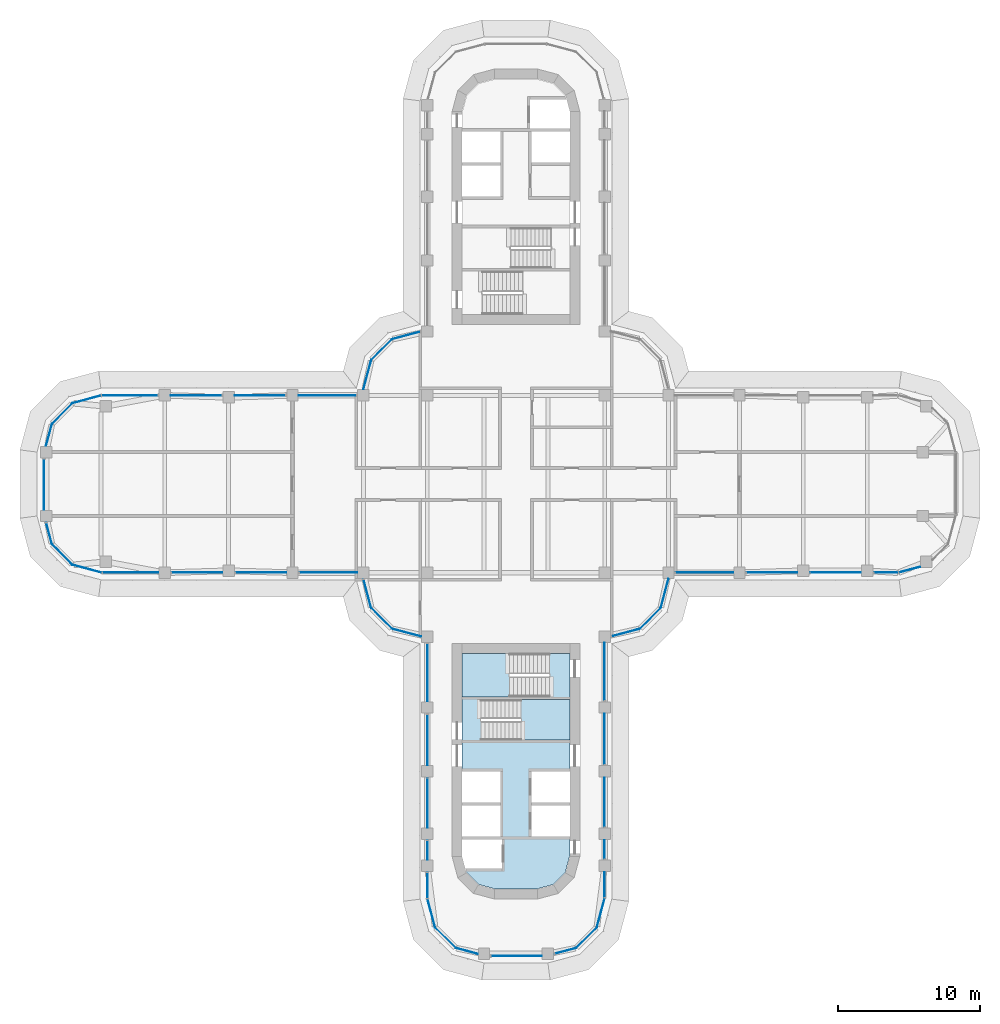
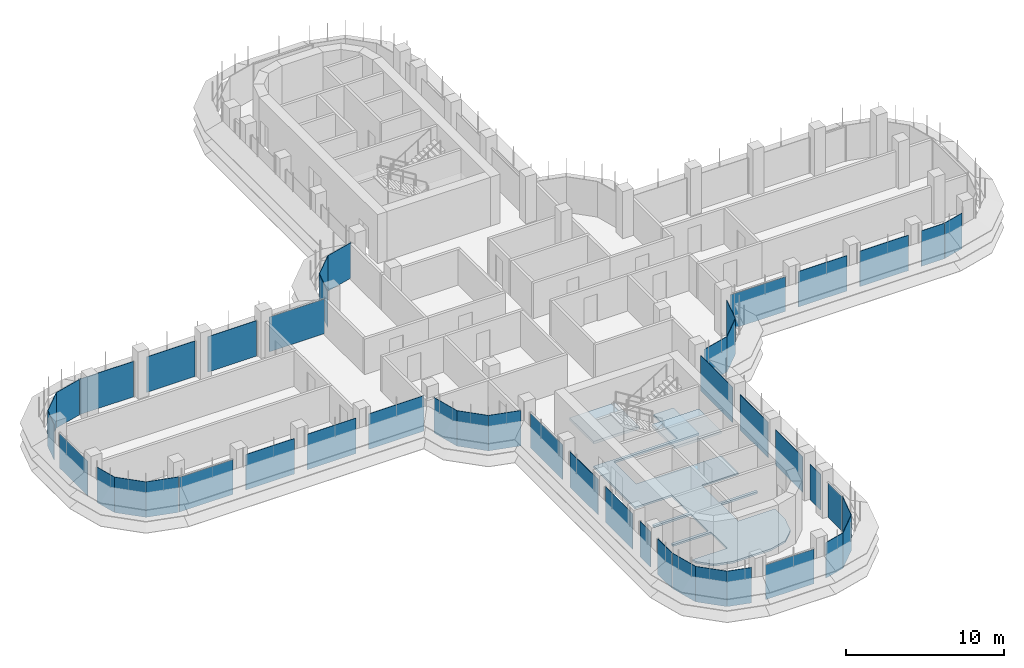
# One storey, part 12 of 20: 46 plates, 3 slabs, 31 elements without a shape of their own.
"""IFC4 building model written with IfcOpenShell, lengths in metres."""

from ifc_helpers import new_model, si_unit, direction, frame, origin, place, context, subcontext, project, spatial, polyline, outline, extrude, source, transform, mapped, material, layer, layer_set, type_object, element, aggregate, save


model = new_model("IFC4")

# Units and contexts
model_context = context("Model", 3, precision=1e-05, world=origin(), true_north=direction((0.0, 1.0)))
body_context = subcontext(model_context, "Body", "Model", "MODEL_VIEW")
ifc_project = project(units=[si_unit("LENGTHUNIT", "METRE"), si_unit("AREAUNIT", "SQUARE_METRE"), si_unit("VOLUMEUNIT", "CUBIC_METRE"), si_unit("PLANEANGLEUNIT", "RADIAN"), si_unit("MASSUNIT", "GRAM", prefix="KILO")], contexts=[model_context])

# Site, building, storey
site_placement = place(None, origin())
site = spatial("IfcSite", under=ifc_project, at=site_placement, CompositionType="ELEMENT")
building_placement = place(site_placement, origin())
building = spatial("IfcBuilding", under=site, at=building_placement, Name="Zarbagh Exchange Tower", CompositionType="ELEMENT")
storey_placement = place(building_placement, frame((0.0, 0.0, 141.0)))
storey = spatial("IfcBuildingStorey", under=building, at=storey_placement, Name="L33", CompositionType="ELEMENT", Elevation=141.0)

# Slab
ifc_material_1 = material(Name="Concrete C40/50", Category="concrete")
ifc_layer_1 = layer(ifc_material_1, 0.14990234375)
ifc_layer_set_1 = layer_set([ifc_layer_1], Name="Core floor slab 150 C40/50")
slab_type_1 = type_object("IfcSlabType", Name="Core floor slab 150 C40/50", PredefinedType="FLOOR", material=ifc_layer_set_1)
slab_1_placement = place(storey_placement, frame((0.0, 0.0, -0.14990234375)))
element("IfcSlab", 1, at=slab_1_placement, inside=storey, type_object=slab_type_1, Name="S17 core S", PredefinedType="FLOOR", context=body_context, shape_type="SweptSolid", body=[
    extrude(outline(polyline([(-2.6376953125, -28.220458984375), (-3.470458984375, -27.3876953125), (-3.800048828125, -26.15771484375), (-3.800048828125, -26.15771484375), (-3.547607421875, -27.10009765625), (-1.0, -27.10009765625), (-1.0, -25.050048828125), (-3.800048828125, -25.050048828125), (-3.800048828125, -24.85009765625), (-1.10009765625, -24.85009765625), (-1.10009765625, -22.64990234375), (-3.800048828125, -22.64990234375), (-3.800048828125, -22.449951171875), (-1.10009765625, -22.449951171875), (-1.10009765625, -20.25), (-3.800048828125, -20.25), (-3.800048828125, -15.0), (2.35009765625, -15.0), (2.35009765625, -11.949951171875), (3.800048828125, -11.949951171875), (3.800048828125, -15.199951171875), (-2.449951171875, -15.199951171875), (-2.449951171875, -18.050048828125), (3.800048828125, -18.050048828125), (3.800048828125, -20.25), (1.10009765625, -20.25), (1.10009765625, -22.449951171875), (3.800048828125, -22.449951171875), (3.800048828125, -22.64990234375), (1.10009765625, -22.64990234375), (1.10009765625, -24.85009765625), (3.800048828125, -24.85009765625), (3.800048828125, -26.15771484375), (3.470458984375, -27.3876953125), (2.6376953125, -28.220458984375), (1.40771484375, -28.550048828125), (-1.40771484375, -28.550048828125), (-2.6376953125, -28.220458984375)])), origin(), (0.0, 0.0, 1.0), 0.14990234375),
])

# Stair, slab
stair_type = type_object("IfcStairType", Name="Exit stair two-flight half-turn", PredefinedType="HALF_TURN_STAIR", material=ifc_material_1)
stair_1_placement = place(storey_placement, origin())
stair_1 = element("IfcStair", 2, at=stair_1_placement, inside=storey, type_object=stair_type, Name="exit stair ST3", PredefinedType="HALF_TURN_STAIR")
ifc_layer_2 = layer(ifc_material_1, 0.199951171875)
ifc_layer_set_2 = layer_set([ifc_layer_2], Name="Stair landing 200 mm")
slab_type_2 = type_object("IfcSlabType", Name="Stair landing 200 mm", PredefinedType="LANDING", material=ifc_layer_set_2)
slab_2_placement = place(storey_placement, frame((0.0, 0.0, 1.699951171875)))
slab_2 = element("IfcSlab", 3, at=slab_2_placement, type_object=slab_type_2, Name="ST3 landing 1", PredefinedType="LANDING", context=body_context, shape_type="SweptSolid", body=[
    extrude(outline(polyline([(0.35009765625, -18.050048828125), (3.800048828125, -18.050048828125), (3.800048828125, -15.199951171875), (0.35009765625, -15.199951171875), (0.35009765625, -18.050048828125)])), origin(), (0.0, 0.0, 1.0), 0.199951171875),
])
aggregate(stair_1, [slab_2])

stair_2_placement = place(storey_placement, origin())
stair_2 = element("IfcStair", 4, at=stair_2_placement, inside=storey, type_object=stair_type, Name="exit stair ST4", PredefinedType="HALF_TURN_STAIR")
slab_3_placement = place(storey_placement, frame((0.0, 0.0, 1.699951171875)))
slab_3 = element("IfcSlab", 5, at=slab_3_placement, type_object=slab_type_2, Name="ST4 landing 1", PredefinedType="LANDING", context=body_context, shape_type="SweptSolid", body=[
    extrude(outline(polyline([(-0.449951171875, -11.949951171875), (-3.800048828125, -11.949951171875), (-3.800048828125, -15.0), (-0.449951171875, -15.0), (-0.449951171875, -11.949951171875)])), origin(), (0.0, 0.0, 1.0), 0.199951171875),
])
aggregate(stair_2, [slab_3])

# Curtain wall, plate
ifc_material_2 = material(Name="Anodised aluminium frame and glazing", Category="aluminium")
curtain_wall_type = type_object("IfcCurtainWallType", Name="CWB Ribbon glazing, upper zones", PredefinedType="NOTDEFINED", material=ifc_material_2)
curtain_wall_1_placement = place(storey_placement, origin())
curtain_wall_1 = element("IfcCurtainWall", 6, at=curtain_wall_1_placement, inside=storey, type_object=curtain_wall_type, Name="CWB01 curtain wall", PredefinedType="NOTDEFINED")
ifc_material_3 = material(Name="Low-e double glazed unit, 6+12+6 mm")
ifc_layer_3 = layer(ifc_material_3, 0.031982421875)
ifc_layer_set_3 = layer_set([ifc_layer_3], Name="PAB Glazing panel, Low-e double glazed unit, 6+12+6 mm")
plate_type = type_object("IfcPlateType", Name="PAB Glazing panel, Low-e double glazed unit, 6+12+6 mm", PredefinedType="CURTAIN_PANEL", material=ifc_layer_set_3)
shared_shape_1 = source(origin(), body_context, "Body", "SweptSolid", [
    extrude(outline(polyline([(0.0, -0.01611328125), (1.5458984375, -0.01611328125), (1.5458984375, 0.01611328125), (0.0, 0.01611328125), (0.0, -0.01611328125)])), origin(), (0.0, 0.0, 1.0), 2.75),
])
placement = place(storey_placement, origin())
plate_1 = element("IfcPlate", 7, at=placement, type_object=plate_type, Name="CWB01 glazing panel 1.1", PredefinedType="CURTAIN_PANEL", context=body_context, shape_type="MappedRepresentation", body=[
    mapped(shared_shape_1, transform((2.748046875, -33.098876953125, 0.0), x_axis=(0.965924289636, 0.258824779902, 0.0), y_axis=(-0.258824779902, 0.965924289636, 0.0), z_axis=(0.0, 0.0, 1.0))),
])
aggregate(curtain_wall_1, [plate_1])

curtain_wall_2_placement = place(storey_placement, origin())
curtain_wall_2 = element("IfcCurtainWall", 8, at=curtain_wall_2_placement, inside=storey, type_object=curtain_wall_type, Name="CWB37 curtain wall", PredefinedType="NOTDEFINED")
plate_2 = element("IfcPlate", 9, at=placement, type_object=plate_type, Name="CWB37 glazing panel 1.1", PredefinedType="CURTAIN_PANEL", context=body_context, shape_type="MappedRepresentation", body=[
    mapped(shared_shape_1, transform((-33.098876953125, -2.748046875, 0.0), x_axis=(0.258824779902, -0.965924289636, 0.0), y_axis=(0.965924289636, 0.258824779902, 0.0), z_axis=(0.0, 0.0, 1.0))),
])
aggregate(curtain_wall_2, [plate_2])

curtain_wall_3_placement = place(storey_placement, origin())
curtain_wall_3 = element("IfcCurtainWall", 10, at=curtain_wall_3_placement, inside=storey, type_object=curtain_wall_type, Name="CWB02 curtain wall", PredefinedType="NOTDEFINED")
shared_shape_2 = source(origin(), body_context, "Body", "SweptSolid", [
    extrude(outline(polyline([(0.0, -0.01611328125), (2.061279296875, -0.01611328125), (2.061279296875, 0.01611328125), (0.0, 0.01611328125), (0.0, -0.01611328125)])), origin(), (0.0, 0.0, 1.0), 2.75),
])
plate_3 = element("IfcPlate", 11, at=placement, type_object=plate_type, Name="CWB02 glazing panel 1.1", PredefinedType="CURTAIN_PANEL", context=body_context, shape_type="MappedRepresentation", body=[
    mapped(shared_shape_2, transform((4.2412109375, -32.69873046875, 0.0), x_axis=(0.707106781187, 0.707106781187, 0.0), y_axis=(-0.707106781187, 0.707106781187, 0.0), z_axis=(0.0, 0.0, 1.0))),
])
aggregate(curtain_wall_3, [plate_3])

curtain_wall_4_placement = place(storey_placement, origin())
curtain_wall_4 = element("IfcCurtainWall", 12, at=curtain_wall_4_placement, inside=storey, type_object=curtain_wall_type, Name="CWB06 curtain wall", PredefinedType="NOTDEFINED")
plate_4 = element("IfcPlate", 13, at=placement, type_object=plate_type, Name="CWB06 glazing panel 1.1", PredefinedType="CURTAIN_PANEL", context=body_context, shape_type="MappedRepresentation", body=[
    mapped(shared_shape_2, transform((8.7412109375, -10.19873046875, 0.0), x_axis=(0.707106781187, 0.707106781187, 0.0), y_axis=(-0.707106781187, 0.707106781187, 0.0), z_axis=(0.0, 0.0, 1.0))),
])
aggregate(curtain_wall_4, [plate_4])

curtain_wall_5_placement = place(storey_placement, origin())
curtain_wall_5 = element("IfcCurtainWall", 14, at=curtain_wall_5_placement, inside=storey, type_object=curtain_wall_type, Name="CWB30 curtain wall", PredefinedType="NOTDEFINED")
plate_5 = element("IfcPlate", 15, at=placement, type_object=plate_type, Name="CWB30 glazing panel 1.1", PredefinedType="CURTAIN_PANEL", context=body_context, shape_type="MappedRepresentation", body=[
    mapped(shared_shape_2, transform((-8.7412109375, 10.19873046875, 0.0), x_axis=(-0.707106781187, -0.707106781187, 0.0), y_axis=(0.707106781187, -0.707106781187, 0.0), z_axis=(0.0, 0.0, 1.0))),
])
aggregate(curtain_wall_5, [plate_5])

curtain_wall_6_placement = place(storey_placement, origin())
curtain_wall_6 = element("IfcCurtainWall", 16, at=curtain_wall_6_placement, inside=storey, type_object=curtain_wall_type, Name="CWB34 curtain wall", PredefinedType="NOTDEFINED")
plate_6 = element("IfcPlate", 17, at=placement, type_object=plate_type, Name="CWB34 glazing panel 1.1", PredefinedType="CURTAIN_PANEL", context=body_context, shape_type="MappedRepresentation", body=[
    mapped(shared_shape_2, transform((-31.2412109375, 5.69873046875, 0.0), x_axis=(-0.707106781187, -0.707106781187, 0.0), y_axis=(0.707106781187, -0.707106781187, 0.0), z_axis=(0.0, 0.0, 1.0))),
])
aggregate(curtain_wall_6, [plate_6])

curtain_wall_7_placement = place(storey_placement, origin())
curtain_wall_7 = element("IfcCurtainWall", 18, at=curtain_wall_7_placement, inside=storey, type_object=curtain_wall_type, Name="CWB38 curtain wall", PredefinedType="NOTDEFINED")
plate_7 = element("IfcPlate", 19, at=placement, type_object=plate_type, Name="CWB38 glazing panel 1.1", PredefinedType="CURTAIN_PANEL", context=body_context, shape_type="MappedRepresentation", body=[
    mapped(shared_shape_2, transform((-32.69873046875, -4.2412109375, 0.0), x_axis=(0.707106781187, -0.707106781187, 0.0), y_axis=(0.707106781187, 0.707106781187, 0.0), z_axis=(0.0, 0.0, 1.0))),
])
aggregate(curtain_wall_7, [plate_7])

curtain_wall_8_placement = place(storey_placement, origin())
curtain_wall_8 = element("IfcCurtainWall", 20, at=curtain_wall_8_placement, inside=storey, type_object=curtain_wall_type, Name="CWB42 curtain wall", PredefinedType="NOTDEFINED")
plate_8 = element("IfcPlate", 21, at=placement, type_object=plate_type, Name="CWB42 glazing panel 1.1", PredefinedType="CURTAIN_PANEL", context=body_context, shape_type="MappedRepresentation", body=[
    mapped(shared_shape_2, transform((-10.19873046875, -8.7412109375, 0.0), x_axis=(0.707106781187, -0.707106781187, 0.0), y_axis=(0.707106781187, 0.707106781187, 0.0), z_axis=(0.0, 0.0, 1.0))),
])
aggregate(curtain_wall_8, [plate_8])

curtain_wall_9_placement = place(storey_placement, origin())
curtain_wall_9 = element("IfcCurtainWall", 22, at=curtain_wall_9_placement, inside=storey, type_object=curtain_wall_type, Name="CWB46 curtain wall", PredefinedType="NOTDEFINED")
plate_9 = element("IfcPlate", 23, at=placement, type_object=plate_type, Name="CWB46 glazing panel 1.1", PredefinedType="CURTAIN_PANEL", context=body_context, shape_type="MappedRepresentation", body=[
    mapped(shared_shape_2, transform((-5.69873046875, -31.2412109375, 0.0), x_axis=(0.707106781187, -0.707106781187, 0.0), y_axis=(0.707106781187, 0.707106781187, 0.0), z_axis=(0.0, 0.0, 1.0))),
])
aggregate(curtain_wall_9, [plate_9])

curtain_wall_10_placement = place(storey_placement, origin())
curtain_wall_10 = element("IfcCurtainWall", 24, at=curtain_wall_10_placement, inside=storey, type_object=curtain_wall_type, Name="CWB03 curtain wall", PredefinedType="NOTDEFINED")
shared_shape_3 = source(origin(), body_context, "Body", "SweptSolid", [
    extrude(outline(polyline([(0.0, -0.01611328125), (2.129638671875, -0.01611328125), (2.129638671875, 0.01611328125), (0.0, 0.01611328125), (0.0, -0.01611328125)])), origin(), (0.0, 0.0, 1.0), 2.75),
])
plate_10 = element("IfcPlate", 25, at=placement, type_object=plate_type, Name="CWB03 glazing panel 1.1", PredefinedType="CURTAIN_PANEL", context=body_context, shape_type="MappedRepresentation", body=[
    mapped(shared_shape_3, transform((5.69873046875, -31.2412109375, 0.0), x_axis=(0.258824779902, 0.965924289636, 0.0), y_axis=(-0.965924289636, 0.258824779902, 0.0), z_axis=(0.0, 0.0, 1.0))),
])
aggregate(curtain_wall_10, [plate_10])

curtain_wall_11_placement = place(storey_placement, origin())
curtain_wall_11 = element("IfcCurtainWall", 26, at=curtain_wall_11_placement, inside=storey, type_object=curtain_wall_type, Name="CWB39 curtain wall", PredefinedType="NOTDEFINED")
plate_11 = element("IfcPlate", 27, at=placement, type_object=plate_type, Name="CWB39 glazing panel 1.1", PredefinedType="CURTAIN_PANEL", context=body_context, shape_type="MappedRepresentation", body=[
    mapped(shared_shape_3, transform((-31.2412109375, -5.69873046875, 0.0), x_axis=(0.965924289636, -0.258824779902, 0.0), y_axis=(0.258824779902, 0.965924289636, 0.0), z_axis=(0.0, 0.0, 1.0))),
])
aggregate(curtain_wall_11, [plate_11])

# Curtain wall, plates
curtain_wall_12_placement = place(storey_placement, origin())
curtain_wall_12 = element("IfcCurtainWall", 28, at=curtain_wall_12_placement, inside=storey, type_object=curtain_wall_type, Name="CWB04 curtain wall", PredefinedType="NOTDEFINED")
shared_shape_4 = source(origin(), body_context, "Body", "SweptSolid", [
    extrude(outline(polyline([(0.0, -0.01611328125), (1.7841796875, -0.01611328125), (1.7841796875, 0.01611328125), (0.0, 0.01611328125), (0.0, -0.01611328125)])), origin(), (0.0, 0.0, 1.0), 2.68994140625),
])
plate_12 = element("IfcPlate", 29, at=placement, type_object=plate_type, Name="CWB04 glazing panel 1.1", PredefinedType="CURTAIN_PANEL", context=body_context, shape_type="MappedRepresentation", body=[
    mapped(shared_shape_4, transform((6.25, -29.124267578125, 0.0), x_axis=(0.0, 1.0, 0.0), y_axis=(-1.0, 0.0, 0.0), z_axis=(0.0, 0.0, 1.0))),
])
shared_shape_5 = source(origin(), body_context, "Body", "SweptSolid", [
    extrude(outline(polyline([(0.0, -0.01611328125), (1.31005859375, -0.01611328125), (1.31005859375, 0.01611328125), (0.0, 0.01611328125), (0.0, -0.01611328125)])), origin(), (0.0, 0.0, 1.0), 2.75),
])
plate_13 = element("IfcPlate", 30, at=placement, type_object=plate_type, Name="CWB04 glazing panel 2.1", PredefinedType="CURTAIN_PANEL", context=body_context, shape_type="MappedRepresentation", body=[
    mapped(shared_shape_5, transform((6.25, -26.39990234375, 0.0), x_axis=(0.0, 1.0, 0.0), y_axis=(-1.0, 0.0, 0.0), z_axis=(0.0, 0.0, 1.0))),
])

# Curtain wall, plate
curtain_wall_13_placement = place(storey_placement, origin())
curtain_wall_13 = element("IfcCurtainWall", 31, at=curtain_wall_13_placement, inside=storey, type_object=curtain_wall_type, Name="CWB44 curtain wall", PredefinedType="NOTDEFINED")
plate_14 = element("IfcPlate", 32, at=placement, type_object=plate_type, Name="CWB44 glazing panel 4.1", PredefinedType="CURTAIN_PANEL", context=body_context, shape_type="MappedRepresentation", body=[
    mapped(shared_shape_5, transform((-6.25, -25.150146484375, 0.0), x_axis=(0.0, -1.0, 0.0), y_axis=(1.0, 0.0, 0.0), z_axis=(0.0, 0.0, 1.0))),
])

# Plate
shared_shape_6 = source(origin(), body_context, "Body", "SweptSolid", [
    extrude(outline(polyline([(0.0, -0.01611328125), (3.4599609375, -0.01611328125), (3.4599609375, 0.01611328125), (0.0, 0.01611328125), (0.0, -0.01611328125)])), origin(), (0.0, 0.0, 1.0), 2.75),
])
plate_15 = element("IfcPlate", 33, at=placement, type_object=plate_type, Name="CWB04 glazing panel 3.1", PredefinedType="CURTAIN_PANEL", context=body_context, shape_type="MappedRepresentation", body=[
    mapped(shared_shape_6, transform((6.25, -24.14990234375, 0.0), x_axis=(0.0, 1.0, 0.0), y_axis=(-1.0, 0.0, 0.0), z_axis=(0.0, 0.0, 1.0))),
])

plate_16 = element("IfcPlate", 34, at=placement, type_object=plate_type, Name="CWB44 glazing panel 3.1", PredefinedType="CURTAIN_PANEL", context=body_context, shape_type="MappedRepresentation", body=[
    mapped(shared_shape_6, transform((-6.25, -20.75, 0.0), x_axis=(0.0, -1.0, 0.0), y_axis=(1.0, 0.0, 0.0), z_axis=(0.0, 0.0, 1.0))),
])

shared_shape_7 = source(origin(), body_context, "Body", "SweptSolid", [
    extrude(outline(polyline([(0.0, -0.01611328125), (3.56005859375, -0.01611328125), (3.56005859375, 0.01611328125), (0.0, 0.01611328125), (0.0, -0.01611328125)])), origin(), (0.0, 0.0, 1.0), 2.75),
])
plate_17 = element("IfcPlate", 35, at=placement, type_object=plate_type, Name="CWB04 glazing panel 4.1", PredefinedType="CURTAIN_PANEL", context=body_context, shape_type="MappedRepresentation", body=[
    mapped(shared_shape_7, transform((6.25, -19.75, 0.0), x_axis=(0.0, 1.0, 0.0), y_axis=(-1.0, 0.0, 0.0), z_axis=(0.0, 0.0, 1.0))),
])

# Curtain wall, plates
curtain_wall_14_placement = place(storey_placement, origin())
curtain_wall_14 = element("IfcCurtainWall", 36, at=curtain_wall_14_placement, inside=storey, type_object=curtain_wall_type, Name="CWB08 curtain wall", PredefinedType="NOTDEFINED")
plate_18 = element("IfcPlate", 37, at=placement, type_object=plate_type, Name="CWB08 glazing panel 2.1", PredefinedType="CURTAIN_PANEL", context=body_context, shape_type="MappedRepresentation", body=[
    mapped(shared_shape_7, transform((16.25, -6.25, 0.0), x_axis=(1.0, 0.0, 0.0), y_axis=(0.0, 1.0, 0.0), z_axis=(0.0, 0.0, 1.0))),
])
plate_19 = element("IfcPlate", 38, at=placement, type_object=plate_type, Name="CWB08 glazing panel 3.1", PredefinedType="CURTAIN_PANEL", context=body_context, shape_type="MappedRepresentation", body=[
    mapped(shared_shape_7, transform((20.75, -6.25, 0.0), x_axis=(1.0, 0.0, 0.0), y_axis=(0.0, 1.0, 0.0), z_axis=(0.0, 0.0, 1.0))),
])

curtain_wall_15_placement = place(storey_placement, origin())
curtain_wall_15 = element("IfcCurtainWall", 39, at=curtain_wall_15_placement, inside=storey, type_object=curtain_wall_type, Name="CWB32 curtain wall", PredefinedType="NOTDEFINED")
plate_20 = element("IfcPlate", 40, at=placement, type_object=plate_type, Name="CWB32 glazing panel 2.1", PredefinedType="CURTAIN_PANEL", context=body_context, shape_type="MappedRepresentation", body=[
    mapped(shared_shape_7, transform((-16.25, 6.25, 0.0), x_axis=(-1.0, 0.0, 0.0), y_axis=(0.0, -1.0, 0.0), z_axis=(0.0, 0.0, 1.0))),
])
plate_21 = element("IfcPlate", 41, at=placement, type_object=plate_type, Name="CWB32 glazing panel 3.1", PredefinedType="CURTAIN_PANEL", context=body_context, shape_type="MappedRepresentation", body=[
    mapped(shared_shape_7, transform((-20.75, 6.25, 0.0), x_axis=(-1.0, 0.0, 0.0), y_axis=(0.0, -1.0, 0.0), z_axis=(0.0, 0.0, 1.0))),
])

curtain_wall_16_placement = place(storey_placement, origin())
curtain_wall_16 = element("IfcCurtainWall", 42, at=curtain_wall_16_placement, inside=storey, type_object=curtain_wall_type, Name="CWB40 curtain wall", PredefinedType="NOTDEFINED")
plate_22 = element("IfcPlate", 43, at=placement, type_object=plate_type, Name="CWB40 glazing panel 2.1", PredefinedType="CURTAIN_PANEL", context=body_context, shape_type="MappedRepresentation", body=[
    mapped(shared_shape_7, transform((-24.25, -6.25, 0.0), x_axis=(1.0, 0.0, 0.0), y_axis=(0.0, 1.0, 0.0), z_axis=(0.0, 0.0, 1.0))),
])
plate_23 = element("IfcPlate", 44, at=placement, type_object=plate_type, Name="CWB40 glazing panel 3.1", PredefinedType="CURTAIN_PANEL", context=body_context, shape_type="MappedRepresentation", body=[
    mapped(shared_shape_7, transform((-19.75, -6.25, 0.0), x_axis=(1.0, 0.0, 0.0), y_axis=(0.0, 1.0, 0.0), z_axis=(0.0, 0.0, 1.0))),
])

# Plate
plate_24 = element("IfcPlate", 45, at=placement, type_object=plate_type, Name="CWB44 glazing panel 2.1", PredefinedType="CURTAIN_PANEL", context=body_context, shape_type="MappedRepresentation", body=[
    mapped(shared_shape_7, transform((-6.25, -16.25, 0.0), x_axis=(0.0, -1.0, 0.0), y_axis=(1.0, 0.0, 0.0), z_axis=(0.0, 0.0, 1.0))),
])

shared_shape_8 = source(origin(), body_context, "Body", "SweptSolid", [
    extrude(outline(polyline([(0.0, -0.01611328125), (4.06005859375, -0.01611328125), (4.06005859375, 0.01611328125), (0.0, 0.01611328125), (0.0, -0.01611328125)])), origin(), (0.0, 0.0, 1.0), 2.75),
])
plate_25 = element("IfcPlate", 46, at=placement, type_object=plate_type, Name="CWB04 glazing panel 5.1", PredefinedType="CURTAIN_PANEL", context=body_context, shape_type="MappedRepresentation", body=[
    mapped(shared_shape_8, transform((6.25, -15.25, 0.0), x_axis=(0.0, 1.0, 0.0), y_axis=(-1.0, 0.0, 0.0), z_axis=(0.0, 0.0, 1.0))),
])

aggregate(curtain_wall_12, [plate_12, plate_13, plate_15, plate_17, plate_25])

plate_26 = element("IfcPlate", 47, at=placement, type_object=plate_type, Name="CWB40 glazing panel 4.1", PredefinedType="CURTAIN_PANEL", context=body_context, shape_type="MappedRepresentation", body=[
    mapped(shared_shape_8, transform((-15.25, -6.25, 0.0), x_axis=(1.0, 0.0, 0.0), y_axis=(0.0, 1.0, 0.0), z_axis=(0.0, 0.0, 1.0))),
])

# Curtain wall, plate
curtain_wall_17_placement = place(storey_placement, origin())
curtain_wall_17 = element("IfcCurtainWall", 48, at=curtain_wall_17_placement, inside=storey, type_object=curtain_wall_type, Name="CWB05 curtain wall", PredefinedType="NOTDEFINED")
shared_shape_9 = source(origin(), body_context, "Body", "SweptSolid", [
    extrude(outline(polyline([(0.0, -0.01611328125), (2.063720703125, -0.01611328125), (2.063720703125, 0.01611328125), (0.0, 0.01611328125), (0.0, -0.01611328125)])), origin(), (0.0, 0.0, 1.0), 2.75),
])
plate_27 = element("IfcPlate", 49, at=placement, type_object=plate_type, Name="CWB05 glazing panel 1.1", PredefinedType="CURTAIN_PANEL", context=body_context, shape_type="MappedRepresentation", body=[
    mapped(shared_shape_9, transform((6.748046875, -10.73291015625, 0.0), x_axis=(0.965924289636, 0.258824779902, 0.0), y_axis=(-0.258824779902, 0.965924289636, 0.0), z_axis=(0.0, 0.0, 1.0))),
])
aggregate(curtain_wall_17, [plate_27])

curtain_wall_18_placement = place(storey_placement, origin())
curtain_wall_18 = element("IfcCurtainWall", 50, at=curtain_wall_18_placement, inside=storey, type_object=curtain_wall_type, Name="CWB29 curtain wall", PredefinedType="NOTDEFINED")
plate_28 = element("IfcPlate", 51, at=placement, type_object=plate_type, Name="CWB29 glazing panel 1.1", PredefinedType="CURTAIN_PANEL", context=body_context, shape_type="MappedRepresentation", body=[
    mapped(shared_shape_9, transform((-6.748046875, 10.73291015625, 0.0), x_axis=(-0.965924289636, -0.258824779902, 0.0), y_axis=(0.258824779902, -0.965924289636, 0.0), z_axis=(0.0, 0.0, 1.0))),
])
aggregate(curtain_wall_18, [plate_28])

curtain_wall_19_placement = place(storey_placement, origin())
curtain_wall_19 = element("IfcCurtainWall", 52, at=curtain_wall_19_placement, inside=storey, type_object=curtain_wall_type, Name="CWB41 curtain wall", PredefinedType="NOTDEFINED")
plate_29 = element("IfcPlate", 53, at=placement, type_object=plate_type, Name="CWB41 glazing panel 1.1", PredefinedType="CURTAIN_PANEL", context=body_context, shape_type="MappedRepresentation", body=[
    mapped(shared_shape_9, transform((-10.73291015625, -6.748046875, 0.0), x_axis=(0.258824779902, -0.965924289636, 0.0), y_axis=(0.965924289636, 0.258824779902, 0.0), z_axis=(0.0, 0.0, 1.0))),
])
aggregate(curtain_wall_19, [plate_29])

curtain_wall_20_placement = place(storey_placement, origin())
curtain_wall_20 = element("IfcCurtainWall", 54, at=curtain_wall_20_placement, inside=storey, type_object=curtain_wall_type, Name="CWB07 curtain wall", PredefinedType="NOTDEFINED")
shared_shape_10 = source(origin(), body_context, "Body", "SweptSolid", [
    extrude(outline(polyline([(0.0, -0.01611328125), (2.12353515625, -0.01611328125), (2.12353515625, 0.01611328125), (0.0, 0.01611328125), (0.0, -0.01611328125)])), origin(), (0.0, 0.0, 1.0), 2.75),
])
plate_30 = element("IfcPlate", 55, at=placement, type_object=plate_type, Name="CWB07 glazing panel 1.1", PredefinedType="CURTAIN_PANEL", context=body_context, shape_type="MappedRepresentation", body=[
    mapped(shared_shape_10, transform((10.19873046875, -8.7412109375, 0.0), x_axis=(0.258824779902, 0.965924289636, 0.0), y_axis=(-0.965924289636, 0.258824779902, 0.0), z_axis=(0.0, 0.0, 1.0))),
])
aggregate(curtain_wall_20, [plate_30])

curtain_wall_21_placement = place(storey_placement, origin())
curtain_wall_21 = element("IfcCurtainWall", 56, at=curtain_wall_21_placement, inside=storey, type_object=curtain_wall_type, Name="CWB31 curtain wall", PredefinedType="NOTDEFINED")
plate_31 = element("IfcPlate", 57, at=placement, type_object=plate_type, Name="CWB31 glazing panel 1.1", PredefinedType="CURTAIN_PANEL", context=body_context, shape_type="MappedRepresentation", body=[
    mapped(shared_shape_10, transform((-10.19873046875, 8.7412109375, 0.0), x_axis=(-0.258824779902, -0.965924289636, 0.0), y_axis=(0.965924289636, -0.258824779902, 0.0), z_axis=(0.0, 0.0, 1.0))),
])
aggregate(curtain_wall_21, [plate_31])

curtain_wall_22_placement = place(storey_placement, origin())
curtain_wall_22 = element("IfcCurtainWall", 58, at=curtain_wall_22_placement, inside=storey, type_object=curtain_wall_type, Name="CWB43 curtain wall", PredefinedType="NOTDEFINED")
plate_32 = element("IfcPlate", 59, at=placement, type_object=plate_type, Name="CWB43 glazing panel 1.1", PredefinedType="CURTAIN_PANEL", context=body_context, shape_type="MappedRepresentation", body=[
    mapped(shared_shape_10, transform((-8.7412109375, -10.19873046875, 0.0), x_axis=(0.965924289636, -0.258824779902, 0.0), y_axis=(0.258824779902, 0.965924289636, 0.0), z_axis=(0.0, 0.0, 1.0))),
])
aggregate(curtain_wall_22, [plate_32])

# Plate
shared_shape_11 = source(origin(), body_context, "Body", "SweptSolid", [
    extrude(outline(polyline([(0.0, -0.01611328125), (4.06005859375, -0.01611328125), (4.06005859375, 0.01611328125), (0.0, 0.01611328125), (0.0, -0.01611328125)])), origin(), (0.0, 0.0, 1.0), 2.68994140625),
])
plate_33 = element("IfcPlate", 60, at=placement, type_object=plate_type, Name="CWB08 glazing panel 1.1", PredefinedType="CURTAIN_PANEL", context=body_context, shape_type="MappedRepresentation", body=[
    mapped(shared_shape_11, transform((11.25, -6.25, 0.0), x_axis=(1.0, 0.0, 0.0), y_axis=(0.0, 1.0, 0.0), z_axis=(0.0, 0.0, 1.0))),
])

plate_34 = element("IfcPlate", 61, at=placement, type_object=plate_type, Name="CWB32 glazing panel 1.1", PredefinedType="CURTAIN_PANEL", context=body_context, shape_type="MappedRepresentation", body=[
    mapped(shared_shape_11, transform((-11.25, 6.25, 0.0), x_axis=(-1.0, 0.0, 0.0), y_axis=(0.0, -1.0, 0.0), z_axis=(0.0, 0.0, 1.0))),
])

plate_35 = element("IfcPlate", 62, at=placement, type_object=plate_type, Name="CWB44 glazing panel 1.1", PredefinedType="CURTAIN_PANEL", context=body_context, shape_type="MappedRepresentation", body=[
    mapped(shared_shape_11, transform((-6.25, -11.25, 0.0), x_axis=(0.0, -1.0, 0.0), y_axis=(1.0, 0.0, 0.0), z_axis=(0.0, 0.0, 1.0))),
])

shared_shape_12 = source(origin(), body_context, "Body", "SweptSolid", [
    extrude(outline(polyline([(0.0, -0.01611328125), (1.68408203125, -0.01611328125), (1.68408203125, 0.01611328125), (0.0, 0.01611328125), (0.0, -0.01611328125)])), origin(), (0.0, 0.0, 1.0), 2.75),
])
plate_36 = element("IfcPlate", 63, at=placement, type_object=plate_type, Name="CWB08 glazing panel 4.1", PredefinedType="CURTAIN_PANEL", context=body_context, shape_type="MappedRepresentation", body=[
    mapped(shared_shape_12, transform((25.25, -6.25, 0.0), x_axis=(1.0, 0.0, 0.0), y_axis=(0.0, 1.0, 0.0), z_axis=(0.0, 0.0, 1.0))),
])

aggregate(curtain_wall_14, [plate_33, plate_18, plate_19, plate_36])

# Curtain wall, plate
curtain_wall_23_placement = place(storey_placement, origin())
curtain_wall_23 = element("IfcCurtainWall", 64, at=curtain_wall_23_placement, inside=storey, type_object=curtain_wall_type, Name="CWB09 curtain wall", PredefinedType="NOTDEFINED")
shared_shape_13 = source(origin(), body_context, "Body", "SweptSolid", [
    extrude(outline(polyline([(0.0, -0.01611328125), (1.52783203125, -0.01611328125), (1.52783203125, 0.01611328125), (0.0, 0.01611328125), (0.0, -0.01611328125)])), origin(), (0.0, 0.0, 1.0), 2.75),
])
plate_37 = element("IfcPlate", 65, at=placement, type_object=plate_type, Name="CWB09 glazing panel 1.1", PredefinedType="CURTAIN_PANEL", context=body_context, shape_type="MappedRepresentation", body=[
    mapped(shared_shape_13, transform((26.9921875, -6.234375, 0.0), x_axis=(0.965924289636, 0.258824779902, 0.0), y_axis=(-0.258824779902, 0.965924289636, 0.0), z_axis=(0.0, 0.0, 1.0))),
])
aggregate(curtain_wall_23, [plate_37])

curtain_wall_24_placement = place(storey_placement, origin())
curtain_wall_24 = element("IfcCurtainWall", 66, at=curtain_wall_24_placement, inside=storey, type_object=curtain_wall_type, Name="CWB33 curtain wall", PredefinedType="NOTDEFINED")
shared_shape_14 = source(origin(), body_context, "Body", "SweptSolid", [
    extrude(outline(polyline([(0.0, -0.01611328125), (2.069580078125, -0.01611328125), (2.069580078125, 0.01611328125), (0.0, 0.01611328125), (0.0, -0.01611328125)])), origin(), (0.0, 0.0, 1.0), 2.75),
])
plate_38 = element("IfcPlate", 67, at=placement, type_object=plate_type, Name="CWB33 glazing panel 1.1", PredefinedType="CURTAIN_PANEL", context=body_context, shape_type="MappedRepresentation", body=[
    mapped(shared_shape_14, transform((-29.2421875, 6.234375, 0.0), x_axis=(-0.965924289636, -0.258824779902, 0.0), y_axis=(0.258824779902, -0.965924289636, 0.0), z_axis=(0.0, 0.0, 1.0))),
])
aggregate(curtain_wall_24, [plate_38])

curtain_wall_25_placement = place(storey_placement, origin())
curtain_wall_25 = element("IfcCurtainWall", 68, at=curtain_wall_25_placement, inside=storey, type_object=curtain_wall_type, Name="CWB45 curtain wall", PredefinedType="NOTDEFINED")
plate_39 = element("IfcPlate", 69, at=placement, type_object=plate_type, Name="CWB45 glazing panel 1.1", PredefinedType="CURTAIN_PANEL", context=body_context, shape_type="MappedRepresentation", body=[
    mapped(shared_shape_14, transform((-6.234375, -29.2421875, 0.0), x_axis=(0.258824779902, -0.965924289636, 0.0), y_axis=(0.965924289636, 0.258824779902, 0.0), z_axis=(0.0, 0.0, 1.0))),
])
aggregate(curtain_wall_25, [plate_39])

# Plate
shared_shape_15 = source(origin(), body_context, "Body", "SweptSolid", [
    extrude(outline(polyline([(0.0, -0.01611328125), (3.93408203125, -0.01611328125), (3.93408203125, 0.01611328125), (0.0, 0.01611328125), (0.0, -0.01611328125)])), origin(), (0.0, 0.0, 1.0), 2.75),
])
plate_40 = element("IfcPlate", 70, at=placement, type_object=plate_type, Name="CWB32 glazing panel 4.1", PredefinedType="CURTAIN_PANEL", context=body_context, shape_type="MappedRepresentation", body=[
    mapped(shared_shape_15, transform((-25.25, 6.25, 0.0), x_axis=(-1.0, 0.0, 0.0), y_axis=(0.0, -1.0, 0.0), z_axis=(0.0, 0.0, 1.0))),
])

aggregate(curtain_wall_15, [plate_34, plate_20, plate_21, plate_40])

# Curtain wall, plate
curtain_wall_26_placement = place(storey_placement, origin())
curtain_wall_26 = element("IfcCurtainWall", 71, at=curtain_wall_26_placement, inside=storey, type_object=curtain_wall_type, Name="CWB35 curtain wall", PredefinedType="NOTDEFINED")
shared_shape_16 = source(origin(), body_context, "Body", "SweptSolid", [
    extrude(outline(polyline([(0.0, -0.01611328125), (1.60595703125, -0.01611328125), (1.60595703125, 0.01611328125), (0.0, 0.01611328125), (0.0, -0.01611328125)])), origin(), (0.0, 0.0, 1.0), 2.75),
])
plate_41 = element("IfcPlate", 72, at=placement, type_object=plate_type, Name="CWB35 glazing panel 1.1", PredefinedType="CURTAIN_PANEL", context=body_context, shape_type="MappedRepresentation", body=[
    mapped(shared_shape_16, transform((-32.69873046875, 4.2412109375, 0.0), x_axis=(-0.258824779902, -0.965924289636, 0.0), y_axis=(0.965924289636, -0.258824779902, 0.0), z_axis=(0.0, 0.0, 1.0))),
])
aggregate(curtain_wall_26, [plate_41])

curtain_wall_27_placement = place(storey_placement, origin())
curtain_wall_27 = element("IfcCurtainWall", 73, at=curtain_wall_27_placement, inside=storey, type_object=curtain_wall_type, Name="CWB47 curtain wall", PredefinedType="NOTDEFINED")
plate_42 = element("IfcPlate", 74, at=placement, type_object=plate_type, Name="CWB47 glazing panel 1.1", PredefinedType="CURTAIN_PANEL", context=body_context, shape_type="MappedRepresentation", body=[
    mapped(shared_shape_16, transform((-4.2412109375, -32.69873046875, 0.0), x_axis=(0.965924289636, -0.258824779902, 0.0), y_axis=(0.258824779902, 0.965924289636, 0.0), z_axis=(0.0, 0.0, 1.0))),
])
aggregate(curtain_wall_27, [plate_42])

curtain_wall_28_placement = place(storey_placement, origin())
curtain_wall_28 = element("IfcCurtainWall", 75, at=curtain_wall_28_placement, inside=storey, type_object=curtain_wall_type, Name="CWB36 curtain wall", PredefinedType="NOTDEFINED")
shared_shape_17 = source(origin(), body_context, "Body", "SweptSolid", [
    extrude(outline(polyline([(0.0, -0.01611328125), (3.56005859375, -0.01611328125), (3.56005859375, 0.01611328125), (0.0, 0.01611328125), (0.0, -0.01611328125)])), origin(), (0.0, 0.0, 1.0), 2.68994140625),
])
plate_43 = element("IfcPlate", 76, at=placement, type_object=plate_type, Name="CWB36 glazing panel 1.1", PredefinedType="CURTAIN_PANEL", context=body_context, shape_type="MappedRepresentation", body=[
    mapped(shared_shape_17, transform((-33.25, 1.75, 0.0), x_axis=(0.0, -1.0, 0.0), y_axis=(1.0, 0.0, 0.0), z_axis=(0.0, 0.0, 1.0))),
])
aggregate(curtain_wall_28, [plate_43])

curtain_wall_29_placement = place(storey_placement, origin())
curtain_wall_29 = element("IfcCurtainWall", 77, at=curtain_wall_29_placement, inside=storey, type_object=curtain_wall_type, Name="CWB48 curtain wall", PredefinedType="NOTDEFINED")
plate_44 = element("IfcPlate", 78, at=placement, type_object=plate_type, Name="CWB48 glazing panel 1.1", PredefinedType="CURTAIN_PANEL", context=body_context, shape_type="MappedRepresentation", body=[
    mapped(shared_shape_17, transform((-1.75, -33.25, 0.0), x_axis=(1.0, 0.0, 0.0), y_axis=(0.0, 1.0, 0.0), z_axis=(0.0, 0.0, 1.0))),
])
aggregate(curtain_wall_29, [plate_44])

# Plate
shared_shape_18 = source(origin(), body_context, "Body", "SweptSolid", [
    extrude(outline(polyline([(0.0, -0.01611328125), (3.93408203125, -0.01611328125), (3.93408203125, 0.01611328125), (0.0, 0.01611328125), (0.0, -0.01611328125)])), origin(), (0.0, 0.0, 1.0), 2.68994140625),
])
plate_45 = element("IfcPlate", 79, at=placement, type_object=plate_type, Name="CWB40 glazing panel 1.1", PredefinedType="CURTAIN_PANEL", context=body_context, shape_type="MappedRepresentation", body=[
    mapped(shared_shape_18, transform((-29.124267578125, -6.25, 0.0), x_axis=(1.0, 0.0, 0.0), y_axis=(0.0, 1.0, 0.0), z_axis=(0.0, 0.0, 1.0))),
])

aggregate(curtain_wall_16, [plate_45, plate_22, plate_23, plate_26])

shared_shape_19 = source(origin(), body_context, "Body", "SweptSolid", [
    extrude(outline(polyline([(0.0, -0.01611328125), (1.7841796875, -0.01611328125), (1.7841796875, 0.01611328125), (0.0, 0.01611328125), (0.0, -0.01611328125)])), origin(), (0.0, 0.0, 1.0), 2.75),
])
plate_46 = element("IfcPlate", 80, at=placement, type_object=plate_type, Name="CWB44 glazing panel 5.1", PredefinedType="CURTAIN_PANEL", context=body_context, shape_type="MappedRepresentation", body=[
    mapped(shared_shape_19, transform((-6.25, -27.400146484375, 0.0), x_axis=(0.0, -1.0, 0.0), y_axis=(1.0, 0.0, 0.0), z_axis=(0.0, 0.0, 1.0))),
])

aggregate(curtain_wall_13, [plate_35, plate_24, plate_16, plate_14, plate_46])

save(model, "model.ifc")
